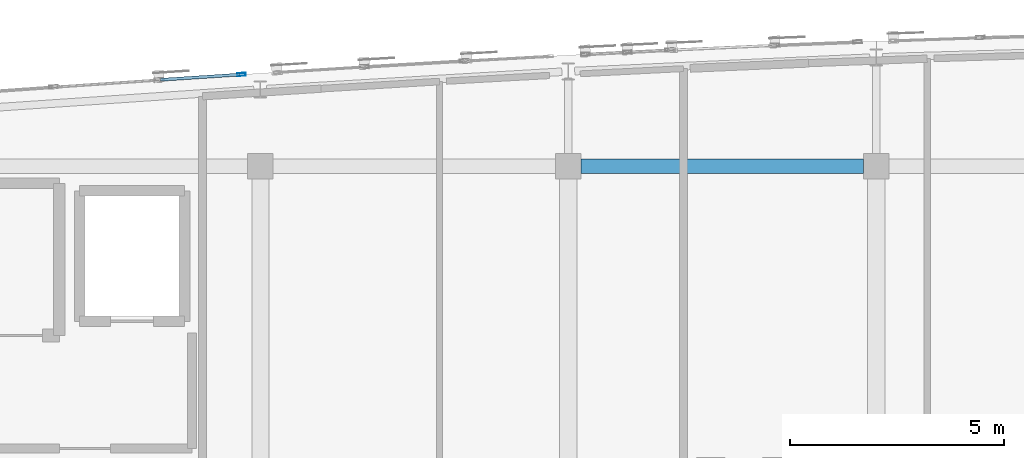
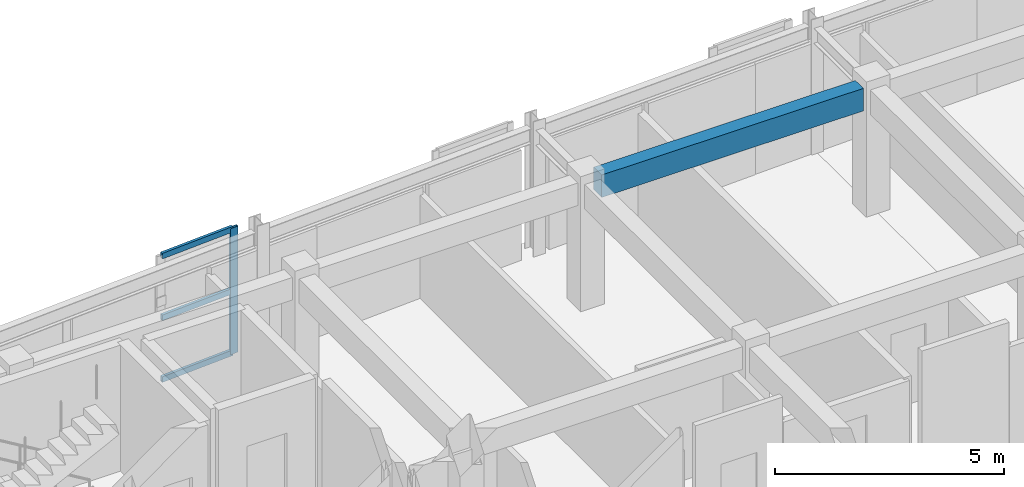
# One storey, part 12 of 51: 4 members, 1 beam, 1 element without a shape of its own.
"""IFC4 building model written with IfcOpenShell, lengths in metres."""

from ifc_helpers import new_model, si_unit, direction, frame, origin, origin_2d, place, context, subcontext, project, spatial, rectangle, hollow_rectangle, extrude, material, layer, layer_set, material_profile, profile_set, type_object, element, aggregate, save


model = new_model("IFC4")

# Units and contexts
model_context = context("Model", 3, precision=1e-05, world=origin(), true_north=direction((0.0, 1.0)))
body_context = subcontext(model_context, "Body", "Model", "MODEL_VIEW")
ifc_project = project(units=[si_unit("LENGTHUNIT", "METRE"), si_unit("AREAUNIT", "SQUARE_METRE"), si_unit("VOLUMEUNIT", "CUBIC_METRE"), si_unit("PLANEANGLEUNIT", "RADIAN"), si_unit("MASSUNIT", "GRAM", prefix="KILO")], contexts=[model_context])

# Site, building, storey
site_placement = place(None, origin())
site = spatial("IfcSite", under=ifc_project, at=site_placement, CompositionType="ELEMENT")
building_placement = place(site_placement, origin())
building = spatial("IfcBuilding", under=site, at=building_placement, Name="Carrowvane Square Congress Hotel", CompositionType="ELEMENT")
storey_placement = place(building_placement, frame((0.0, 0.0, 30.0)))
storey = spatial("IfcBuildingStorey", under=building, at=storey_placement, Name="L07", CompositionType="ELEMENT", Elevation=30.0)

# Beam
ifc_material_1 = material(Name="Concrete C35/45", Category="concrete")
ifc_material_profile_1 = material_profile(ifc_material_1, rectangle(XDim=0.35009765625, YDim=0.60009765625, at=origin_2d()), Name="RC 350x600")
ifc_profile_set_1 = profile_set([ifc_material_profile_1], Name="Concrete C35/45")
beam_type = type_object("IfcBeamType", Name="BM-RC-350x600", PredefinedType="BEAM", material=ifc_profile_set_1)
beam_placement = place(storey_placement, frame((76.699951171875, 113.39990234375, 3.06005859375), z_axis=(1.0, 0.0, 0.0), x_axis=(0.0, 1.0, 0.0)))
element("IfcBeam", 1, at=beam_placement, inside=storey, type_object=beam_type, Name="L08 girder R/10-11", PredefinedType="BEAM", context=body_context, shape_type="SweptSolid", body=[
    extrude(rectangle(XDim=0.35009765625, YDim=0.60009765625, at=origin_2d()), origin(), (0.0, 0.0, 1.0), 6.60009765625),
])

# Curtain wall, members
ifc_material_2 = material(Name="Anodised aluminium", Category="aluminium")
ifc_layer = layer(ifc_material_2, 0.197998046875)
ifc_layer_set = layer_set([ifc_layer], Name="Anodised aluminium")
curtain_wall_type = type_object("IfcCurtainWallType", Name="CW-SYS-4", PredefinedType="NOTDEFINED", material=ifc_layer_set)
curtain_wall_placement = place(storey_placement, origin())
curtain_wall = element("IfcCurtainWall", 2, at=curtain_wall_placement, inside=storey, type_object=curtain_wall_type, Name="L07 unitised curtain wall 419", PredefinedType="NOTDEFINED")
ifc_material_3 = material(Name="Anodised aluminium", Category="aluminium")
ifc_material_profile_2 = material_profile(ifc_material_3, hollow_rectangle(XDim=0.070068359375, YDim=0.199951171875, WallThickness=0.0048828125, at=origin_2d()), Name="CW-ML 70x200x5")
ifc_profile_set_2 = profile_set([ifc_material_profile_2], Name="Anodised aluminium")
member_type_1 = type_object("IfcMemberType", Name="CW-MUL-2", PredefinedType="MULLION", material=ifc_profile_set_2)
member_1_placement = place(storey_placement, frame((68.756591796875, 115.545166015625, 0.0), z_axis=(0.0, 0.0, 1.0), x_axis=(-0.065412223074, 0.997858327155, 0.0)))
member_1 = element("IfcMember", 3, at=member_1_placement, type_object=member_type_1, Name="CW-4 mullion 2", PredefinedType="MULLION", context=body_context, shape_type="SweptSolid", body=[
    extrude(hollow_rectangle(XDim=0.070068359375, YDim=0.199951171875, WallThickness=0.0048828125, at=origin_2d()), origin(), (0.0, 0.0, 1.0), 3.360107421875),
])
ifc_material_4 = material(Name="Anodised aluminium", Category="aluminium")
ifc_material_profile_3 = material_profile(ifc_material_4, hollow_rectangle(XDim=0.070068359375, YDim=0.14990234375, WallThickness=0.0048828125, at=origin_2d()), Name="CW-TR 70x150x5")
ifc_profile_set_3 = profile_set([ifc_material_profile_3], Name="Anodised aluminium")
member_type_2 = type_object("IfcMemberType", Name="CW-TRN-2", PredefinedType="USERDEFINED", material=ifc_profile_set_3)
member_2_placement = place(storey_placement, frame((66.869873046875, 115.421630859375, 0.034912109375), z_axis=(0.997860186588, 0.065383851382, 0.0), x_axis=(-0.065383851382, 0.997860186588, 0.0)))
member_2 = element("IfcMember", 4, at=member_2_placement, type_object=member_type_2, Name="CW-4 transom 1.1", ObjectType="TRANSOM", PredefinedType="USERDEFINED", context=body_context, shape_type="SweptSolid", body=[
    extrude(hollow_rectangle(XDim=0.070068359375, YDim=0.14990234375, WallThickness=0.0048828125, at=origin_2d()), origin(), (0.0, 0.0, 1.0), 1.855712890625),
])
member_3_placement = place(storey_placement, frame((66.869873046875, 115.421630859375, 1.679931640625), z_axis=(0.997860186588, 0.065383851382, 0.0), x_axis=(-0.065383851382, 0.997860186588, 0.0)))
member_3 = element("IfcMember", 5, at=member_3_placement, type_object=member_type_2, Name="CW-4 transom 1.2", ObjectType="TRANSOM", PredefinedType="USERDEFINED", context=body_context, shape_type="SweptSolid", body=[
    extrude(hollow_rectangle(XDim=0.070068359375, YDim=0.14990234375, WallThickness=0.0048828125, at=origin_2d()), origin(), (0.0, 0.0, 1.0), 1.855712890625),
])
member_4_placement = place(storey_placement, frame((66.869873046875, 115.421630859375, 3.324951171875), z_axis=(0.997860186588, 0.065383851382, 0.0), x_axis=(-0.065383851382, 0.997860186588, 0.0)))
member_4 = element("IfcMember", 6, at=member_4_placement, type_object=member_type_2, Name="CW-4 transom 1.3", ObjectType="TRANSOM", PredefinedType="USERDEFINED", context=body_context, shape_type="SweptSolid", body=[
    extrude(hollow_rectangle(XDim=0.070068359375, YDim=0.14990234375, WallThickness=0.0048828125, at=origin_2d()), origin(), (0.0, 0.0, 1.0), 1.855712890625),
])
aggregate(curtain_wall, [member_1, member_2, member_3, member_4])

save(model, "model.ifc")
